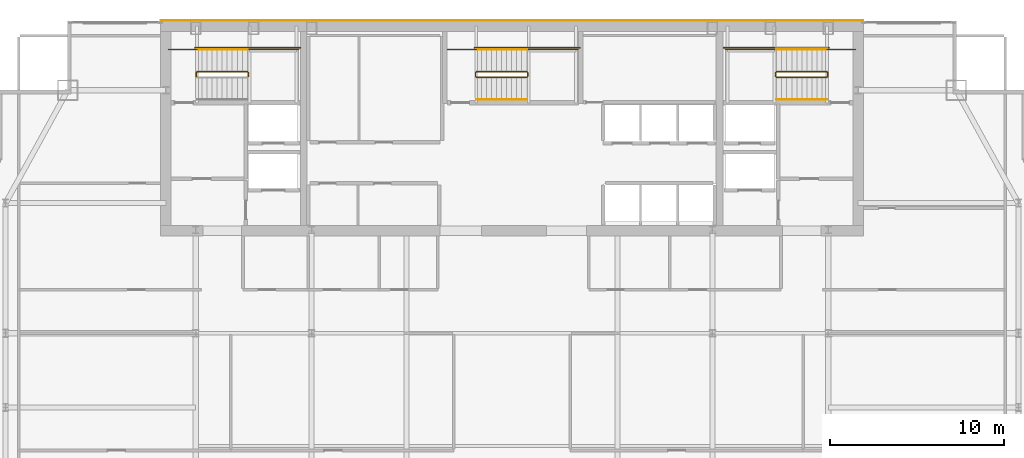
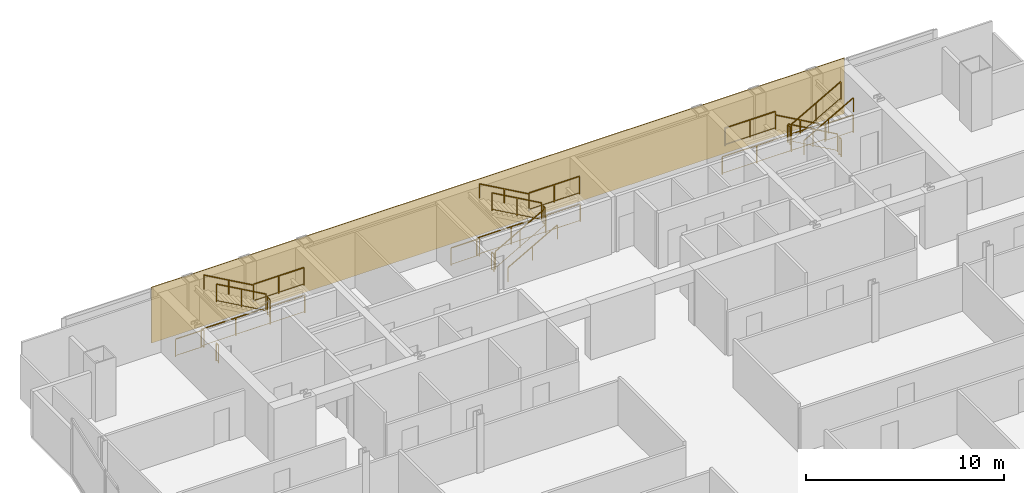
# One storey, part 30 of 30: 25 railings, 1 covering.
"""IFC4 building model written with IfcOpenShell, lengths in metres."""

from ifc_helpers import new_model, si_unit, direction, frame, origin, origin_2d, place, context, subcontext, project, spatial, polyline, rectangle, outline, extrude, material, layer, layer_set, type_object, element, save


model = new_model("IFC4")

# Units and contexts
model_context = context("Model", 3, precision=1e-05, world=origin(), true_north=direction((0.0, 1.0)))
body_context = subcontext(model_context, "Body", "Model", "MODEL_VIEW")
ifc_project = project(units=[si_unit("LENGTHUNIT", "METRE"), si_unit("AREAUNIT", "SQUARE_METRE"), si_unit("VOLUMEUNIT", "CUBIC_METRE"), si_unit("PLANEANGLEUNIT", "RADIAN"), si_unit("MASSUNIT", "GRAM", prefix="KILO")], contexts=[model_context])

# Site, building, storey
site_placement = place(None, origin())
site = spatial("IfcSite", under=ifc_project, at=site_placement, CompositionType="ELEMENT")
building_placement = place(site_placement, origin())
building = spatial("IfcBuilding", under=site, at=building_placement, Name="Khoronbel Lancet Exchange", CompositionType="ELEMENT")
storey_placement = place(building_placement, frame((0.0, 0.0, 203.0)))
storey = spatial("IfcBuildingStorey", under=building, at=storey_placement, Name="L51", CompositionType="ELEMENT", Elevation=203.0)

# Covering
ifc_material_1 = material(Name="Honed Egyptian Limestone & Bronze Rainscreen", Category="masonry")
ifc_layer = layer(ifc_material_1, 0.050048828125, Name="Honed Egyptian Limestone & Bronze Rainscreen")
ifc_layer_set = layer_set([ifc_layer], Name="Honed Egyptian Limestone & Bronze Rainscreen")
covering_type = type_object("IfcCoveringType", Name="COV-CLAD1", PredefinedType="CLADDING", material=ifc_layer_set)
covering_placement = place(storey_placement, origin())
element("IfcCovering", 1, at=covering_placement, inside=storey, type_object=covering_type, Name="Level L51 north rear-core stone and bronze rainscreen cladding", PredefinedType="CLADDING", context=body_context, shape_type="SweptSolid", body=[
    extrude(outline(polyline([(16.199951171875, 53.699951171875), (56.699951171875, 53.699951171875), (56.699951171875, 53.75), (16.199951171875, 53.75), (16.199951171875, 53.699951171875)])), origin(), (0.0, 0.0, 1.0), 3.43994140625),
])

# Railings
ifc_material_2 = material(Name="Painted Steel Balustrade", Category="steel")
railing_type_1 = type_object("IfcRailingType", Name="RL-STG110", PredefinedType="GUARDRAIL", material=ifc_material_2)
railing_1_placement = place(storey_placement, frame((21.25, 50.5, 1.800048828125)))
element("IfcRailing", 2, at=railing_1_placement, inside=storey, type_object=railing_type_1, Name="L51 ST1 stair guard 2", PredefinedType="GUARDRAIL", context=body_context, shape_type="SweptSolid", body=[
    extrude(rectangle(XDim=0.048095703125, YDim=0.048095703125, at=origin_2d()), frame((0.0, 0.0, 1.09619140625), z_axis=(0.0, 1.0, 0.0), x_axis=(-1.0, 0.0, 0.0)), (0.0, 0.0, 1.0), 0.219970703125),
    extrude(rectangle(XDim=0.02392578125, YDim=0.02392578125, at=origin_2d()), frame((0.0, 0.0, 0.080078125), z_axis=(0.0, 1.0, 0.0), x_axis=(-1.0, 0.0, 0.0)), (0.0, 0.0, 1.0), 0.219970703125),
    extrude(rectangle(XDim=0.0419921875, YDim=0.0419921875, at=origin_2d()), origin(), (0.0, 0.0, 1.0), 1.072021484375),
    extrude(rectangle(XDim=0.0419921875, YDim=0.0419921875, at=origin_2d()), frame((0.0, 0.219970703125, 0.0)), (0.0, 0.0, 1.0), 1.072021484375),
])
railing_2_placement = place(storey_placement, frame((21.199951171875, 52.050048828125, 1.800048828125)))
element("IfcRailing", 3, at=railing_2_placement, inside=storey, type_object=railing_type_1, Name="L51 ST1 stair guard 3", PredefinedType="GUARDRAIL", context=body_context, shape_type="SweptSolid", body=[
    extrude(rectangle(XDim=0.048095703125, YDim=0.048095703125, at=origin_2d()), frame((0.0, 0.0, 1.09619140625), z_axis=(1.0, 0.0, 0.0), x_axis=(0.0, 1.0, 0.0)), (0.0, 0.0, 1.0), 2.949951171875),
    extrude(rectangle(XDim=0.02392578125, YDim=0.02392578125, at=origin_2d()), frame((0.0, 0.0, 0.080078125), z_axis=(1.0, 0.0, 0.0), x_axis=(0.0, 1.0, 0.0)), (0.0, 0.0, 1.0), 2.949951171875),
    extrude(rectangle(XDim=0.0419921875, YDim=0.0419921875, at=origin_2d()), origin(), (0.0, 0.0, 1.0), 1.072021484375),
    extrude(rectangle(XDim=0.0419921875, YDim=0.0419921875, at=origin_2d()), frame((1.47509765625, 0.0, 0.0)), (0.0, 0.0, 1.0), 1.072021484375),
    extrude(rectangle(XDim=0.0419921875, YDim=0.0419921875, at=origin_2d()), frame((2.949951171875, 0.0, 0.0)), (0.0, 0.0, 1.0), 1.072021484375),
])
railing_3_placement = place(storey_placement, frame((21.199951171875, 50.77001953125, 1.963623046875)))
element("IfcRailing", 4, at=railing_3_placement, inside=storey, type_object=railing_type_1, Name="L51 ST1 stair guard 4", PredefinedType="GUARDRAIL", context=body_context, shape_type="SweptSolid", body=[
    extrude(rectangle(XDim=0.048095703125, YDim=0.048095703125, at=origin_2d()), frame((0.0, 0.0, 1.09619140625), z_axis=(-0.870897200241, 0.0, 0.491465224214), x_axis=(0.0, -1.0, 0.0)), (0.0, 0.0, 1.0), 3.329833984375),
    extrude(rectangle(XDim=0.02392578125, YDim=0.02392578125, at=origin_2d()), frame((0.0, 0.0, 0.080078125), z_axis=(-0.870897200241, 0.0, 0.491465224214), x_axis=(0.0, -1.0, 0.0)), (0.0, 0.0, 1.0), 3.329833984375),
    extrude(rectangle(XDim=0.0419921875, YDim=0.0419921875, at=origin_2d()), origin(), (0.0, 0.0, 1.0), 1.072021484375),
    extrude(rectangle(XDim=0.0419921875, YDim=0.0419921875, at=origin_2d()), frame((-1.449951171875, 0.0, 0.818359375)), (0.0, 0.0, 1.0), 1.072021484375),
    extrude(rectangle(XDim=0.0419921875, YDim=0.0419921875, at=origin_2d()), frame((-2.89990234375, 0.0, 1.636474609375)), (0.0, 0.0, 1.0), 1.072021484375),
])
railing_4_placement = place(storey_placement, frame((18.25, 50.5, 0.0)))
element("IfcRailing", 5, at=railing_4_placement, inside=storey, type_object=railing_type_1, Name="L51 ST1 stair guard 5", PredefinedType="GUARDRAIL", context=body_context, shape_type="SweptSolid", body=[
    extrude(rectangle(XDim=0.048095703125, YDim=0.048095703125, at=origin_2d()), frame((0.0, 0.0, 1.09619140625), z_axis=(0.0, 1.0, 0.0), x_axis=(-1.0, 0.0, 0.0)), (0.0, 0.0, 1.0), 0.219970703125),
    extrude(rectangle(XDim=0.02392578125, YDim=0.02392578125, at=origin_2d()), frame((0.0, 0.0, 0.080078125), z_axis=(0.0, 1.0, 0.0), x_axis=(-1.0, 0.0, 0.0)), (0.0, 0.0, 1.0), 0.219970703125),
    extrude(rectangle(XDim=0.0419921875, YDim=0.0419921875, at=origin_2d()), origin(), (0.0, 0.0, 1.0), 1.072021484375),
    extrude(rectangle(XDim=0.0419921875, YDim=0.0419921875, at=origin_2d()), frame((0.0, 0.219970703125, 0.0)), (0.0, 0.0, 1.0), 1.072021484375),
])
railing_5_placement = place(storey_placement, frame((16.64990234375, 52.050048828125, 0.0)))
element("IfcRailing", 6, at=railing_5_placement, inside=storey, type_object=railing_type_1, Name="L51 ST1 stair guard 6", PredefinedType="GUARDRAIL", context=body_context, shape_type="SweptSolid", body=[
    extrude(rectangle(XDim=0.048095703125, YDim=0.048095703125, at=origin_2d()), frame((0.0, 0.0, 1.09619140625), z_axis=(1.0, 0.0, 0.0), x_axis=(0.0, 1.0, 0.0)), (0.0, 0.0, 1.0), 1.650146484375),
    extrude(rectangle(XDim=0.02392578125, YDim=0.02392578125, at=origin_2d()), frame((0.0, 0.0, 0.080078125), z_axis=(1.0, 0.0, 0.0), x_axis=(0.0, 1.0, 0.0)), (0.0, 0.0, 1.0), 1.650146484375),
    extrude(rectangle(XDim=0.0419921875, YDim=0.0419921875, at=origin_2d()), origin(), (0.0, 0.0, 1.0), 1.072021484375),
    extrude(rectangle(XDim=0.0419921875, YDim=0.0419921875, at=origin_2d()), frame((1.650146484375, 0.0, 0.0)), (0.0, 0.0, 1.0), 1.072021484375),
])
railing_6_placement = place(storey_placement, frame((18.199951171875, 52.14990234375, 0.0)))
element("IfcRailing", 7, at=railing_6_placement, inside=storey, type_object=railing_type_1, Name="L51 ST1 stair guard 7", PredefinedType="GUARDRAIL", context=body_context, shape_type="SweptSolid", body=[
    extrude(rectangle(XDim=0.048095703125, YDim=0.048095703125, at=origin_2d()), frame((0.0, 0.0, 1.09619140625), z_axis=(1.0, 0.0, 0.0), x_axis=(0.0, 1.0, 0.0)), (0.0, 0.0, 1.0), 6.050048828125),
    extrude(rectangle(XDim=0.02392578125, YDim=0.02392578125, at=origin_2d()), frame((0.0, 0.0, 0.080078125), z_axis=(1.0, 0.0, 0.0), x_axis=(0.0, 1.0, 0.0)), (0.0, 0.0, 1.0), 6.050048828125),
    extrude(rectangle(XDim=0.0419921875, YDim=0.0419921875, at=origin_2d()), origin(), (0.0, 0.0, 1.0), 1.072021484375),
    extrude(rectangle(XDim=0.0419921875, YDim=0.0419921875, at=origin_2d()), frame((2.0166015625, 0.0, 0.0)), (0.0, 0.0, 1.0), 1.072021484375),
    extrude(rectangle(XDim=0.0419921875, YDim=0.0419921875, at=origin_2d()), frame((4.033447265625, 0.0, 0.0)), (0.0, 0.0, 1.0), 1.072021484375),
    extrude(rectangle(XDim=0.0419921875, YDim=0.0419921875, at=origin_2d()), frame((6.050048828125, 0.0, 0.0)), (0.0, 0.0, 1.0), 1.072021484375),
])
railing_7_placement = place(storey_placement, frame((54.60009765625, 50.77001953125, 0.16357421875)))
element("IfcRailing", 8, at=railing_7_placement, inside=storey, type_object=railing_type_1, Name="L51 ST2 stair guard 1", PredefinedType="GUARDRAIL", context=body_context, shape_type="SweptSolid", body=[
    extrude(rectangle(XDim=0.048095703125, YDim=0.048095703125, at=origin_2d()), frame((0.0, 0.0, 1.09619140625), z_axis=(-0.870914908162, 0.0, 0.491433843708), x_axis=(0.0, -1.0, 0.0)), (0.0, 0.0, 1.0), 3.330078125),
    extrude(rectangle(XDim=0.02392578125, YDim=0.02392578125, at=origin_2d()), frame((0.0, 0.0, 0.080078125), z_axis=(-0.870914908162, 0.0, 0.491433843708), x_axis=(0.0, -1.0, 0.0)), (0.0, 0.0, 1.0), 3.330078125),
    extrude(rectangle(XDim=0.0419921875, YDim=0.0419921875, at=origin_2d()), origin(), (0.0, 0.0, 1.0), 1.072021484375),
    extrude(rectangle(XDim=0.0419921875, YDim=0.0419921875, at=origin_2d()), frame((-1.4501953125, 0.0, 0.818359375)), (0.0, 0.0, 1.0), 1.072021484375),
    extrude(rectangle(XDim=0.0419921875, YDim=0.0419921875, at=origin_2d()), frame((-2.900146484375, 0.0, 1.636474609375)), (0.0, 0.0, 1.0), 1.072021484375),
])
railing_8_placement = place(storey_placement, frame((51.64990234375, 50.719970703125, 1.800048828125)))
element("IfcRailing", 9, at=railing_8_placement, inside=storey, type_object=railing_type_1, Name="L51 ST2 stair guard 2", PredefinedType="GUARDRAIL", context=body_context, shape_type="SweptSolid", body=[
    extrude(rectangle(XDim=0.048095703125, YDim=0.048095703125, at=origin_2d()), frame((0.0, 0.0, 1.09619140625), z_axis=(0.0, -1.0, 0.0), x_axis=(1.0, 0.0, 0.0)), (0.0, 0.0, 1.0), 0.219970703125),
    extrude(rectangle(XDim=0.02392578125, YDim=0.02392578125, at=origin_2d()), frame((0.0, 0.0, 0.080078125), z_axis=(0.0, -1.0, 0.0), x_axis=(1.0, 0.0, 0.0)), (0.0, 0.0, 1.0), 0.219970703125),
    extrude(rectangle(XDim=0.0419921875, YDim=0.0419921875, at=origin_2d()), origin(), (0.0, 0.0, 1.0), 1.072021484375),
    extrude(rectangle(XDim=0.0419921875, YDim=0.0419921875, at=origin_2d()), frame((0.0, -0.219970703125, 0.0)), (0.0, 0.0, 1.0), 1.072021484375),
])
railing_9_placement = place(storey_placement, frame((51.699951171875, 52.050048828125, 1.800048828125)))
element("IfcRailing", 10, at=railing_9_placement, inside=storey, type_object=railing_type_1, Name="L51 ST2 stair guard 3", PredefinedType="GUARDRAIL", context=body_context, shape_type="SweptSolid", body=[
    extrude(rectangle(XDim=0.048095703125, YDim=0.048095703125, at=origin_2d()), frame((0.0, 0.0, 1.09619140625), z_axis=(-1.0, 0.0, 0.0), x_axis=(0.0, -1.0, 0.0)), (0.0, 0.0, 1.0), 2.949951171875),
    extrude(rectangle(XDim=0.02392578125, YDim=0.02392578125, at=origin_2d()), frame((0.0, 0.0, 0.080078125), z_axis=(-1.0, 0.0, 0.0), x_axis=(0.0, -1.0, 0.0)), (0.0, 0.0, 1.0), 2.949951171875),
    extrude(rectangle(XDim=0.0419921875, YDim=0.0419921875, at=origin_2d()), origin(), (0.0, 0.0, 1.0), 1.072021484375),
    extrude(rectangle(XDim=0.0419921875, YDim=0.0419921875, at=origin_2d()), frame((-1.47509765625, 0.0, 0.0)), (0.0, 0.0, 1.0), 1.072021484375),
    extrude(rectangle(XDim=0.0419921875, YDim=0.0419921875, at=origin_2d()), frame((-2.949951171875, 0.0, 0.0)), (0.0, 0.0, 1.0), 1.072021484375),
])
railing_10_placement = place(storey_placement, frame((51.699951171875, 50.449951171875, 1.963623046875)))
element("IfcRailing", 11, at=railing_10_placement, inside=storey, type_object=railing_type_1, Name="L51 ST2 stair guard 4", PredefinedType="GUARDRAIL", context=body_context, shape_type="SweptSolid", body=[
    extrude(rectangle(XDim=0.048095703125, YDim=0.048095703125, at=origin_2d()), frame((0.0, 0.0, 1.09619140625), z_axis=(0.870914908162, 0.0, 0.491433843708), x_axis=(0.0, 1.0, 0.0)), (0.0, 0.0, 1.0), 3.330078125),
    extrude(rectangle(XDim=0.02392578125, YDim=0.02392578125, at=origin_2d()), frame((0.0, 0.0, 0.080078125), z_axis=(0.870914908162, 0.0, 0.491433843708), x_axis=(0.0, 1.0, 0.0)), (0.0, 0.0, 1.0), 3.330078125),
    extrude(rectangle(XDim=0.0419921875, YDim=0.0419921875, at=origin_2d()), origin(), (0.0, 0.0, 1.0), 1.072021484375),
    extrude(rectangle(XDim=0.0419921875, YDim=0.0419921875, at=origin_2d()), frame((1.4501953125, 0.0, 0.818359375)), (0.0, 0.0, 1.0), 1.072021484375),
    extrude(rectangle(XDim=0.0419921875, YDim=0.0419921875, at=origin_2d()), frame((2.900146484375, 0.0, 1.636474609375)), (0.0, 0.0, 1.0), 1.072021484375),
])
railing_11_placement = place(storey_placement, frame((54.64990234375, 50.719970703125, 0.0)))
element("IfcRailing", 12, at=railing_11_placement, inside=storey, type_object=railing_type_1, Name="L51 ST2 stair guard 5", PredefinedType="GUARDRAIL", context=body_context, shape_type="SweptSolid", body=[
    extrude(rectangle(XDim=0.048095703125, YDim=0.048095703125, at=origin_2d()), frame((0.0, 0.0, 1.09619140625), z_axis=(0.0, -1.0, 0.0), x_axis=(1.0, 0.0, 0.0)), (0.0, 0.0, 1.0), 0.219970703125),
    extrude(rectangle(XDim=0.02392578125, YDim=0.02392578125, at=origin_2d()), frame((0.0, 0.0, 0.080078125), z_axis=(0.0, -1.0, 0.0), x_axis=(1.0, 0.0, 0.0)), (0.0, 0.0, 1.0), 0.219970703125),
    extrude(rectangle(XDim=0.0419921875, YDim=0.0419921875, at=origin_2d()), origin(), (0.0, 0.0, 1.0), 1.072021484375),
    extrude(rectangle(XDim=0.0419921875, YDim=0.0419921875, at=origin_2d()), frame((0.0, -0.219970703125, 0.0)), (0.0, 0.0, 1.0), 1.072021484375),
])
railing_12_placement = place(storey_placement, frame((56.25, 52.050048828125, 0.0)))
element("IfcRailing", 13, at=railing_12_placement, inside=storey, type_object=railing_type_1, Name="L51 ST2 stair guard 6", PredefinedType="GUARDRAIL", context=body_context, shape_type="SweptSolid", body=[
    extrude(rectangle(XDim=0.048095703125, YDim=0.048095703125, at=origin_2d()), frame((0.0, 0.0, 1.09619140625), z_axis=(-1.0, 0.0, 0.0), x_axis=(0.0, -1.0, 0.0)), (0.0, 0.0, 1.0), 1.64990234375),
    extrude(rectangle(XDim=0.02392578125, YDim=0.02392578125, at=origin_2d()), frame((0.0, 0.0, 0.080078125), z_axis=(-1.0, 0.0, 0.0), x_axis=(0.0, -1.0, 0.0)), (0.0, 0.0, 1.0), 1.64990234375),
    extrude(rectangle(XDim=0.0419921875, YDim=0.0419921875, at=origin_2d()), origin(), (0.0, 0.0, 1.0), 1.072021484375),
    extrude(rectangle(XDim=0.0419921875, YDim=0.0419921875, at=origin_2d()), frame((-1.64990234375, 0.0, 0.0)), (0.0, 0.0, 1.0), 1.072021484375),
])
railing_13_placement = place(storey_placement, frame((54.699951171875, 52.14990234375, 0.0)))
element("IfcRailing", 14, at=railing_13_placement, inside=storey, type_object=railing_type_1, Name="L51 ST2 stair guard 7", PredefinedType="GUARDRAIL", context=body_context, shape_type="SweptSolid", body=[
    extrude(rectangle(XDim=0.048095703125, YDim=0.048095703125, at=origin_2d()), frame((0.0, 0.0, 1.09619140625), z_axis=(-1.0, 0.0, 0.0), x_axis=(0.0, -1.0, 0.0)), (0.0, 0.0, 1.0), 6.050048828125),
    extrude(rectangle(XDim=0.02392578125, YDim=0.02392578125, at=origin_2d()), frame((0.0, 0.0, 0.080078125), z_axis=(-1.0, 0.0, 0.0), x_axis=(0.0, -1.0, 0.0)), (0.0, 0.0, 1.0), 6.050048828125),
    extrude(rectangle(XDim=0.0419921875, YDim=0.0419921875, at=origin_2d()), origin(), (0.0, 0.0, 1.0), 1.072021484375),
    extrude(rectangle(XDim=0.0419921875, YDim=0.0419921875, at=origin_2d()), frame((-2.0166015625, 0.0, 0.0)), (0.0, 0.0, 1.0), 1.072021484375),
    extrude(rectangle(XDim=0.0419921875, YDim=0.0419921875, at=origin_2d()), frame((-4.033447265625, 0.0, 0.0)), (0.0, 0.0, 1.0), 1.072021484375),
    extrude(rectangle(XDim=0.0419921875, YDim=0.0419921875, at=origin_2d()), frame((-6.050048828125, 0.0, 0.0)), (0.0, 0.0, 1.0), 1.072021484375),
])
railing_14_placement = place(storey_placement, frame((34.39990234375, 50.449951171875, 0.16357421875)))
element("IfcRailing", 15, at=railing_14_placement, inside=storey, type_object=railing_type_1, Name="L51 ST3 stair guard 1", PredefinedType="GUARDRAIL", context=body_context, shape_type="SweptSolid", body=[
    extrude(rectangle(XDim=0.048095703125, YDim=0.048095703125, at=origin_2d()), frame((0.0, 0.0, 1.09619140625), z_axis=(0.870914908162, 0.0, 0.491433843708), x_axis=(0.0, 1.0, 0.0)), (0.0, 0.0, 1.0), 3.330078125),
    extrude(rectangle(XDim=0.02392578125, YDim=0.02392578125, at=origin_2d()), frame((0.0, 0.0, 0.080078125), z_axis=(0.870914908162, 0.0, 0.491433843708), x_axis=(0.0, 1.0, 0.0)), (0.0, 0.0, 1.0), 3.330078125),
    extrude(rectangle(XDim=0.0419921875, YDim=0.0419921875, at=origin_2d()), origin(), (0.0, 0.0, 1.0), 1.072021484375),
    extrude(rectangle(XDim=0.0419921875, YDim=0.0419921875, at=origin_2d()), frame((1.4501953125, 0.0, 0.818359375)), (0.0, 0.0, 1.0), 1.072021484375),
    extrude(rectangle(XDim=0.0419921875, YDim=0.0419921875, at=origin_2d()), frame((2.900146484375, 0.0, 1.636474609375)), (0.0, 0.0, 1.0), 1.072021484375),
])
railing_15_placement = place(storey_placement, frame((37.35009765625, 50.5, 1.800048828125)))
element("IfcRailing", 16, at=railing_15_placement, inside=storey, type_object=railing_type_1, Name="L51 ST3 stair guard 2", PredefinedType="GUARDRAIL", context=body_context, shape_type="SweptSolid", body=[
    extrude(rectangle(XDim=0.048095703125, YDim=0.048095703125, at=origin_2d()), frame((0.0, 0.0, 1.09619140625), z_axis=(0.0, 1.0, 0.0), x_axis=(-1.0, 0.0, 0.0)), (0.0, 0.0, 1.0), 0.219970703125),
    extrude(rectangle(XDim=0.02392578125, YDim=0.02392578125, at=origin_2d()), frame((0.0, 0.0, 0.080078125), z_axis=(0.0, 1.0, 0.0), x_axis=(-1.0, 0.0, 0.0)), (0.0, 0.0, 1.0), 0.219970703125),
    extrude(rectangle(XDim=0.0419921875, YDim=0.0419921875, at=origin_2d()), origin(), (0.0, 0.0, 1.0), 1.072021484375),
    extrude(rectangle(XDim=0.0419921875, YDim=0.0419921875, at=origin_2d()), frame((0.0, 0.219970703125, 0.0)), (0.0, 0.0, 1.0), 1.072021484375),
])
railing_16_placement = place(storey_placement, frame((37.300048828125, 52.050048828125, 1.800048828125)))
element("IfcRailing", 17, at=railing_16_placement, inside=storey, type_object=railing_type_1, Name="L51 ST3 stair guard 3", PredefinedType="GUARDRAIL", context=body_context, shape_type="SweptSolid", body=[
    extrude(rectangle(XDim=0.048095703125, YDim=0.048095703125, at=origin_2d()), frame((0.0, 0.0, 1.09619140625), z_axis=(1.0, 0.0, 0.0), x_axis=(0.0, 1.0, 0.0)), (0.0, 0.0, 1.0), 2.949951171875),
    extrude(rectangle(XDim=0.02392578125, YDim=0.02392578125, at=origin_2d()), frame((0.0, 0.0, 0.080078125), z_axis=(1.0, 0.0, 0.0), x_axis=(0.0, 1.0, 0.0)), (0.0, 0.0, 1.0), 2.949951171875),
    extrude(rectangle(XDim=0.0419921875, YDim=0.0419921875, at=origin_2d()), origin(), (0.0, 0.0, 1.0), 1.072021484375),
    extrude(rectangle(XDim=0.0419921875, YDim=0.0419921875, at=origin_2d()), frame((1.47509765625, 0.0, 0.0)), (0.0, 0.0, 1.0), 1.072021484375),
    extrude(rectangle(XDim=0.0419921875, YDim=0.0419921875, at=origin_2d()), frame((2.949951171875, 0.0, 0.0)), (0.0, 0.0, 1.0), 1.072021484375),
])
railing_17_placement = place(storey_placement, frame((37.300048828125, 50.77001953125, 1.963623046875)))
element("IfcRailing", 18, at=railing_17_placement, inside=storey, type_object=railing_type_1, Name="L51 ST3 stair guard 4", PredefinedType="GUARDRAIL", context=body_context, shape_type="SweptSolid", body=[
    extrude(rectangle(XDim=0.048095703125, YDim=0.048095703125, at=origin_2d()), frame((0.0, 0.0, 1.09619140625), z_axis=(-0.870914908162, 0.0, 0.491433843708), x_axis=(0.0, -1.0, 0.0)), (0.0, 0.0, 1.0), 3.330078125),
    extrude(rectangle(XDim=0.02392578125, YDim=0.02392578125, at=origin_2d()), frame((0.0, 0.0, 0.080078125), z_axis=(-0.870914908162, 0.0, 0.491433843708), x_axis=(0.0, -1.0, 0.0)), (0.0, 0.0, 1.0), 3.330078125),
    extrude(rectangle(XDim=0.0419921875, YDim=0.0419921875, at=origin_2d()), origin(), (0.0, 0.0, 1.0), 1.072021484375),
    extrude(rectangle(XDim=0.0419921875, YDim=0.0419921875, at=origin_2d()), frame((-1.4501953125, 0.0, 0.818359375)), (0.0, 0.0, 1.0), 1.072021484375),
    extrude(rectangle(XDim=0.0419921875, YDim=0.0419921875, at=origin_2d()), frame((-2.900146484375, 0.0, 1.636474609375)), (0.0, 0.0, 1.0), 1.072021484375),
])
railing_18_placement = place(storey_placement, frame((34.35009765625, 50.5, 0.0)))
element("IfcRailing", 19, at=railing_18_placement, inside=storey, type_object=railing_type_1, Name="L51 ST3 stair guard 5", PredefinedType="GUARDRAIL", context=body_context, shape_type="SweptSolid", body=[
    extrude(rectangle(XDim=0.048095703125, YDim=0.048095703125, at=origin_2d()), frame((0.0, 0.0, 1.09619140625), z_axis=(0.0, 1.0, 0.0), x_axis=(-1.0, 0.0, 0.0)), (0.0, 0.0, 1.0), 0.219970703125),
    extrude(rectangle(XDim=0.02392578125, YDim=0.02392578125, at=origin_2d()), frame((0.0, 0.0, 0.080078125), z_axis=(0.0, 1.0, 0.0), x_axis=(-1.0, 0.0, 0.0)), (0.0, 0.0, 1.0), 0.219970703125),
    extrude(rectangle(XDim=0.0419921875, YDim=0.0419921875, at=origin_2d()), origin(), (0.0, 0.0, 1.0), 1.072021484375),
    extrude(rectangle(XDim=0.0419921875, YDim=0.0419921875, at=origin_2d()), frame((0.0, 0.219970703125, 0.0)), (0.0, 0.0, 1.0), 1.072021484375),
])
railing_19_placement = place(storey_placement, frame((32.75, 52.050048828125, 0.0)))
element("IfcRailing", 20, at=railing_19_placement, inside=storey, type_object=railing_type_1, Name="L51 ST3 stair guard 6", PredefinedType="GUARDRAIL", context=body_context, shape_type="SweptSolid", body=[
    extrude(rectangle(XDim=0.048095703125, YDim=0.048095703125, at=origin_2d()), frame((0.0, 0.0, 1.09619140625), z_axis=(1.0, 0.0, 0.0), x_axis=(0.0, 1.0, 0.0)), (0.0, 0.0, 1.0), 1.64990234375),
    extrude(rectangle(XDim=0.02392578125, YDim=0.02392578125, at=origin_2d()), frame((0.0, 0.0, 0.080078125), z_axis=(1.0, 0.0, 0.0), x_axis=(0.0, 1.0, 0.0)), (0.0, 0.0, 1.0), 1.64990234375),
    extrude(rectangle(XDim=0.0419921875, YDim=0.0419921875, at=origin_2d()), origin(), (0.0, 0.0, 1.0), 1.072021484375),
    extrude(rectangle(XDim=0.0419921875, YDim=0.0419921875, at=origin_2d()), frame((1.64990234375, 0.0, 0.0)), (0.0, 0.0, 1.0), 1.072021484375),
])
railing_20_placement = place(storey_placement, frame((34.300048828125, 52.14990234375, 0.0)))
element("IfcRailing", 21, at=railing_20_placement, inside=storey, type_object=railing_type_1, Name="L51 ST3 stair guard 7", PredefinedType="GUARDRAIL", context=body_context, shape_type="SweptSolid", body=[
    extrude(rectangle(XDim=0.048095703125, YDim=0.048095703125, at=origin_2d()), frame((0.0, 0.0, 1.09619140625), z_axis=(1.0, 0.0, 0.0), x_axis=(0.0, 1.0, 0.0)), (0.0, 0.0, 1.0), 6.050048828125),
    extrude(rectangle(XDim=0.02392578125, YDim=0.02392578125, at=origin_2d()), frame((0.0, 0.0, 0.080078125), z_axis=(1.0, 0.0, 0.0), x_axis=(0.0, 1.0, 0.0)), (0.0, 0.0, 1.0), 6.050048828125),
    extrude(rectangle(XDim=0.0419921875, YDim=0.0419921875, at=origin_2d()), origin(), (0.0, 0.0, 1.0), 1.072021484375),
    extrude(rectangle(XDim=0.0419921875, YDim=0.0419921875, at=origin_2d()), frame((2.0166015625, 0.0, 0.0)), (0.0, 0.0, 1.0), 1.072021484375),
    extrude(rectangle(XDim=0.0419921875, YDim=0.0419921875, at=origin_2d()), frame((4.033447265625, 0.0, 0.0)), (0.0, 0.0, 1.0), 1.072021484375),
    extrude(rectangle(XDim=0.0419921875, YDim=0.0419921875, at=origin_2d()), frame((6.050048828125, 0.0, 0.0)), (0.0, 0.0, 1.0), 1.072021484375),
])
ifc_material_3 = material(Name="Brushed Stainless Steel 316", Category="steel")
railing_type_2 = type_object("IfcRailingType", Name="RL-STH92", PredefinedType="HANDRAIL", material=ifc_material_3)
railing_21_placement = place(storey_placement, frame((21.199951171875, 52.050048828125, 1.963623046875)))
element("IfcRailing", 22, at=railing_21_placement, inside=storey, type_object=railing_type_2, Name="L51 ST1 stair handrail 2", PredefinedType="HANDRAIL", context=body_context, shape_type="SweptSolid", body=[
    extrude(rectangle(XDim=0.048095703125, YDim=0.048095703125, at=origin_2d()), frame((0.0, 0.0, 0.8759765625), z_axis=(-0.870897200241, 0.0, 0.491465224214), x_axis=(0.0, -1.0, 0.0)), (0.0, 0.0, 1.0), 3.329833984375),
    extrude(rectangle(XDim=0.0419921875, YDim=0.0419921875, at=origin_2d()), origin(), (0.0, 0.0, 1.0), 0.851806640625),
    extrude(rectangle(XDim=0.0419921875, YDim=0.0419921875, at=origin_2d()), frame((-1.449951171875, 0.0, 0.818359375)), (0.0, 0.0, 1.0), 0.851806640625),
    extrude(rectangle(XDim=0.0419921875, YDim=0.0419921875, at=origin_2d()), frame((-2.89990234375, 0.0, 1.636474609375)), (0.0, 0.0, 1.0), 0.851806640625),
])
railing_22_placement = place(storey_placement, frame((54.60009765625, 52.050048828125, 0.16357421875)))
element("IfcRailing", 23, at=railing_22_placement, inside=storey, type_object=railing_type_2, Name="L51 ST2 stair handrail 1", PredefinedType="HANDRAIL", context=body_context, shape_type="SweptSolid", body=[
    extrude(rectangle(XDim=0.048095703125, YDim=0.048095703125, at=origin_2d()), frame((0.0, 0.0, 0.8759765625), z_axis=(-0.870914908162, 0.0, 0.491433843708), x_axis=(0.0, -1.0, 0.0)), (0.0, 0.0, 1.0), 3.330078125),
    extrude(rectangle(XDim=0.0419921875, YDim=0.0419921875, at=origin_2d()), origin(), (0.0, 0.0, 1.0), 0.851806640625),
    extrude(rectangle(XDim=0.0419921875, YDim=0.0419921875, at=origin_2d()), frame((-1.4501953125, 0.0, 0.818359375)), (0.0, 0.0, 1.0), 0.851806640625),
    extrude(rectangle(XDim=0.0419921875, YDim=0.0419921875, at=origin_2d()), frame((-2.900146484375, 0.0, 1.636474609375)), (0.0, 0.0, 1.0), 0.851806640625),
])
for number, where, name in (
    (24, (51.699951171875, 49.169921875, 1.963623046875), "L51 ST2 stair handrail 2"),
    (25, (34.39990234375, 49.169921875, 0.16357421875), "L51 ST3 stair handrail 1"),
):
    element("IfcRailing", number, at=place(storey_placement, frame(where)), inside=storey, type_object=railing_type_2, Name=name, PredefinedType="HANDRAIL", context=body_context, shape_type="SweptSolid", body=[
        extrude(rectangle(XDim=0.048095703125, YDim=0.048095703125, at=origin_2d()), frame((0.0, 0.0, 0.8759765625), z_axis=(0.870914908162, 0.0, 0.491433843708), x_axis=(0.0, 1.0, 0.0)), (0.0, 0.0, 1.0), 3.330078125),
        extrude(rectangle(XDim=0.0419921875, YDim=0.0419921875, at=origin_2d()), origin(), (0.0, 0.0, 1.0), 0.851806640625),
        extrude(rectangle(XDim=0.0419921875, YDim=0.0419921875, at=origin_2d()), frame((1.4501953125, 0.0, 0.818359375)), (0.0, 0.0, 1.0), 0.851806640625),
        extrude(rectangle(XDim=0.0419921875, YDim=0.0419921875, at=origin_2d()), frame((2.900146484375, 0.0, 1.636474609375)), (0.0, 0.0, 1.0), 0.851806640625),
    ])
railing_23_placement = place(storey_placement, frame((37.300048828125, 52.050048828125, 1.963623046875)))
element("IfcRailing", 26, at=railing_23_placement, inside=storey, type_object=railing_type_2, Name="L51 ST3 stair handrail 2", PredefinedType="HANDRAIL", context=body_context, shape_type="SweptSolid", body=[
    extrude(rectangle(XDim=0.048095703125, YDim=0.048095703125, at=origin_2d()), frame((0.0, 0.0, 0.8759765625), z_axis=(-0.870914908162, 0.0, 0.491433843708), x_axis=(0.0, -1.0, 0.0)), (0.0, 0.0, 1.0), 3.330078125),
    extrude(rectangle(XDim=0.0419921875, YDim=0.0419921875, at=origin_2d()), origin(), (0.0, 0.0, 1.0), 0.851806640625),
    extrude(rectangle(XDim=0.0419921875, YDim=0.0419921875, at=origin_2d()), frame((-1.4501953125, 0.0, 0.818359375)), (0.0, 0.0, 1.0), 0.851806640625),
    extrude(rectangle(XDim=0.0419921875, YDim=0.0419921875, at=origin_2d()), frame((-2.900146484375, 0.0, 1.636474609375)), (0.0, 0.0, 1.0), 0.851806640625),
])

save(model, "model.ifc")
